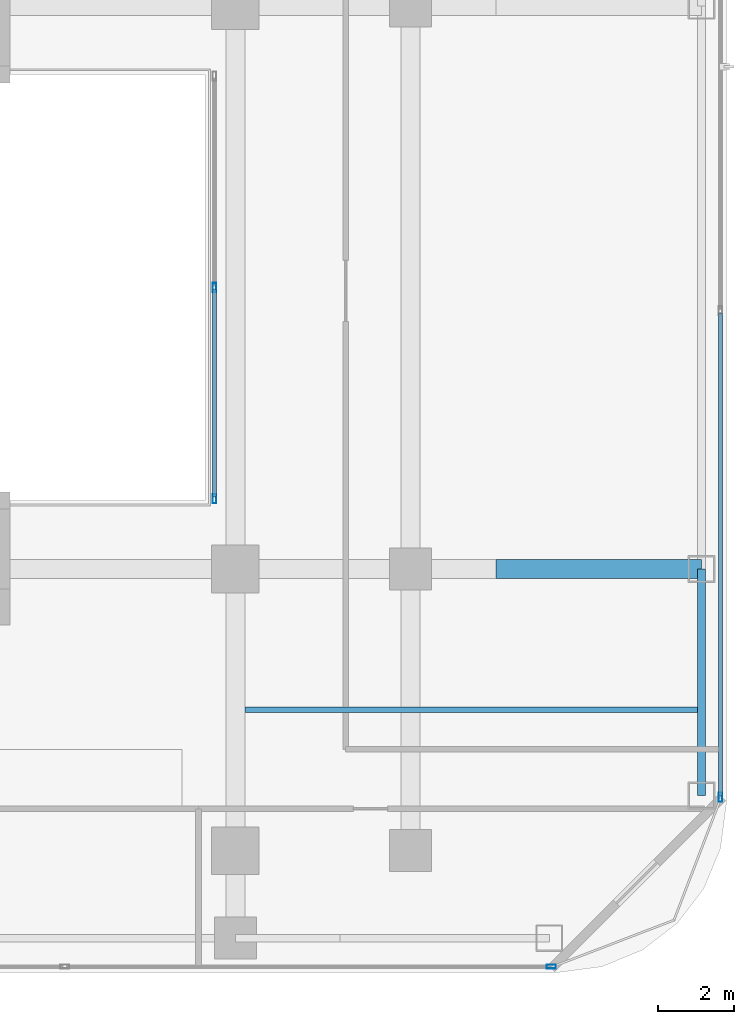
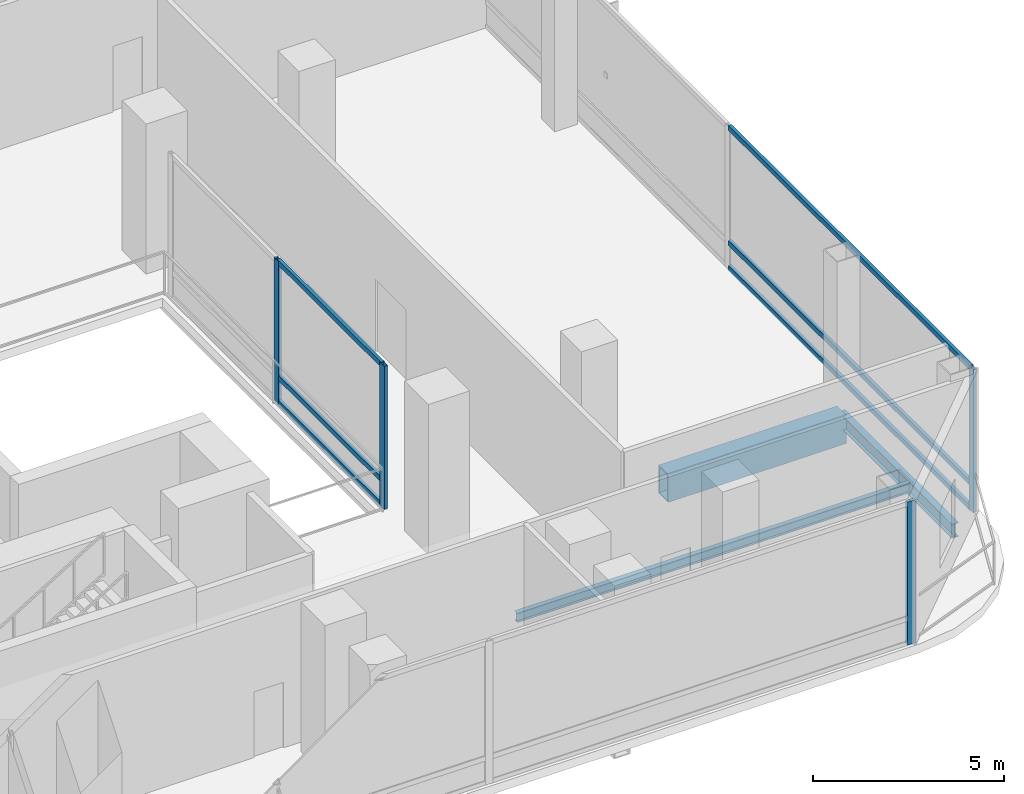
# One storey, part 9 of 28: 10 members, 3 beams, 3 elements without a shape of their own.
"""IFC4 building model written with IfcOpenShell, lengths in metres."""

from ifc_helpers import new_model, si_unit, direction, frame, origin, origin_2d, place, context, subcontext, project, spatial, hollow_rectangle, i_section, extrude, material, layer, layer_set, material_profile, profile_set, type_object, element, aggregate, save


model = new_model("IFC4")

# Units and contexts
model_context = context("Model", 3, precision=1e-05, world=origin(), true_north=direction((0.0, 1.0)))
body_context = subcontext(model_context, "Body", "Model", "MODEL_VIEW")
ifc_project = project(units=[si_unit("LENGTHUNIT", "METRE"), si_unit("AREAUNIT", "SQUARE_METRE"), si_unit("VOLUMEUNIT", "CUBIC_METRE"), si_unit("PLANEANGLEUNIT", "RADIAN"), si_unit("MASSUNIT", "GRAM", prefix="KILO")], contexts=[model_context])

# Site, building, storey
site_placement = place(None, origin())
site = spatial("IfcSite", under=ifc_project, at=site_placement, CompositionType="ELEMENT")
building_placement = place(site_placement, origin())
building = spatial("IfcBuilding", under=site, at=building_placement, Name="Khorvyn Point Tower", CompositionType="ELEMENT")
storey_placement = place(building_placement, frame((0.0, 0.0, 108.60009765625)))
storey = spatial("IfcBuildingStorey", under=building, at=storey_placement, Name="L27", CompositionType="ELEMENT", Elevation=108.60009765625)

# Curtain wall, member
ifc_material_1 = material(Name="Anodised aluminium 6063-T6 and laminated Low-E glass", Category="aluminium")
ifc_layer_1 = layer(ifc_material_1, 0.18994140625)
ifc_layer_set_1 = layer_set([ifc_layer_1], Name="Stick-Built Sky-Lobby Curtain Wall CW-SYS-05")
curtain_wall_type_1 = type_object("IfcCurtainWallType", Name="Stick-Built Sky-Lobby Curtain Wall CW-SYS-05", PredefinedType="NOTDEFINED", material=ifc_layer_set_1)
curtain_wall_1_placement = place(storey_placement, origin())
curtain_wall_1 = element("IfcCurtainWall", 1, at=curtain_wall_1_placement, inside=storey, type_object=curtain_wall_type_1, Name="Curtain Wall", PredefinedType="NOTDEFINED")
ifc_material_2 = material(Name="Anodised aluminium 6063-T6", Category="aluminium")
ifc_material_profile_1 = material_profile(ifc_material_2, hollow_rectangle(XDim=0.10009765625, YDim=0.239990234375, WallThickness=0.0048828125, at=origin_2d()))
ifc_profile_set_1 = profile_set([ifc_material_profile_1], Name="Anodised aluminium 6063-T6 ALU-MUL-100x240")
member_type_1 = type_object("IfcMemberType", Name="Anodised Aluminium 6063-T6 Mullion ALU-MUL-100x240", PredefinedType="MULLION", material=ifc_profile_set_1)
member_1_placement = place(storey_placement, frame((23.10009765625, -17.85009765625, 0.0), z_axis=(0.0, 0.0, 1.0), x_axis=(0.0, -1.0, 0.0)))
member_1 = element("IfcMember", 2, at=member_1_placement, type_object=member_type_1, Name="Transom", PredefinedType="MULLION", context=body_context, shape_type="SweptSolid", body=[
    extrude(hollow_rectangle(XDim=0.10009765625, YDim=0.239990234375, WallThickness=0.0048828125, at=origin_2d()), origin(), (0.0, 0.0, 1.0), 4.579833984375),
])
aggregate(curtain_wall_1, [member_1])

curtain_wall_2_placement = place(storey_placement, origin())
curtain_wall_2 = element("IfcCurtainWall", 3, at=curtain_wall_2_placement, inside=storey, type_object=curtain_wall_type_1, Name="Curtain Wall", PredefinedType="NOTDEFINED")
member_2_placement = place(storey_placement, frame((27.550048828125, -13.39990234375, 0.0), z_axis=(0.0, 0.0, 1.0), x_axis=(1.0, 0.0, 0.0)))
member_2 = element("IfcMember", 4, at=member_2_placement, type_object=member_type_1, Name="Transom", PredefinedType="MULLION", context=body_context, shape_type="SweptSolid", body=[
    extrude(hollow_rectangle(XDim=0.10009765625, YDim=0.239990234375, WallThickness=0.0048828125, at=origin_2d()), origin(), (0.0, 0.0, 1.0), 4.579833984375),
])

# Curtain wall, members
ifc_layer_2 = layer(ifc_material_1, 0.18994140625)
ifc_layer_set_2 = layer_set([ifc_layer_2], Name="Stick-Built Crystal Atrium Curtain Wall CW-SYS-06")
curtain_wall_type_2 = type_object("IfcCurtainWallType", Name="Stick-Built Crystal Atrium Curtain Wall CW-SYS-06", PredefinedType="NOTDEFINED", material=ifc_layer_set_2)
curtain_wall_3_placement = place(storey_placement, origin())
curtain_wall_3 = element("IfcCurtainWall", 5, at=curtain_wall_3_placement, inside=storey, type_object=curtain_wall_type_2, Name="Curtain Wall", PredefinedType="NOTDEFINED")
member_3_placement = place(storey_placement, frame((14.25, -5.550048828125, 0.0), z_axis=(0.0, 0.0, 1.0), x_axis=(-1.0, 0.0, 0.0)))
member_3 = element("IfcMember", 6, at=member_3_placement, type_object=member_type_1, Name="Transom", PredefinedType="MULLION", context=body_context, shape_type="SweptSolid", body=[
    extrude(hollow_rectangle(XDim=0.10009765625, YDim=0.239990234375, WallThickness=0.0048828125, at=origin_2d()), origin(), (0.0, 0.0, 1.0), 4.579833984375),
])
member_4_placement = place(storey_placement, frame((14.25, 0.0, 0.0), z_axis=(0.0, 0.0, 1.0), x_axis=(-1.0, 0.0, 0.0)))
member_4 = element("IfcMember", 7, at=member_4_placement, type_object=member_type_1, Name="Transom", PredefinedType="MULLION", context=body_context, shape_type="SweptSolid", body=[
    extrude(hollow_rectangle(XDim=0.10009765625, YDim=0.239990234375, WallThickness=0.0048828125, at=origin_2d()), origin(), (0.0, 0.0, 1.0), 4.579833984375),
])

# Member
ifc_material_profile_2 = material_profile(ifc_material_2, hollow_rectangle(XDim=0.10009765625, YDim=0.159912109375, WallThickness=0.00439453125, at=origin_2d()))
ifc_profile_set_2 = profile_set([ifc_material_profile_2], Name="Anodised aluminium 6063-T6 ALU-TRN-100x160")
member_type_2 = type_object("IfcMemberType", Name="Anodised Aluminium 6063-T6 Transom ALU-TRN-100x160", PredefinedType="USERDEFINED", material=ifc_profile_set_2)
member_5_placement = place(storey_placement, frame((27.550048828125, -0.666748046875, 0.0498046875), z_axis=(0.0, -1.0, 0.0), x_axis=(1.0, 0.0, 0.0)))
member_5 = element("IfcMember", 8, at=member_5_placement, type_object=member_type_2, Name="Transom", ObjectType="TRANSOM", PredefinedType="USERDEFINED", context=body_context, shape_type="SweptSolid", body=[
    extrude(hollow_rectangle(XDim=0.10009765625, YDim=0.159912109375, WallThickness=0.00439453125, at=origin_2d()), origin(), (0.0, 0.0, 1.0), 12.683349609375),
])

member_6_placement = place(storey_placement, frame((27.550048828125, -0.666748046875, 0.849853515625), z_axis=(0.0, -1.0, 0.0), x_axis=(1.0, 0.0, 0.0)))
member_6 = element("IfcMember", 9, at=member_6_placement, type_object=member_type_2, Name="Transom", ObjectType="TRANSOM", PredefinedType="USERDEFINED", context=body_context, shape_type="SweptSolid", body=[
    extrude(hollow_rectangle(XDim=0.10009765625, YDim=0.159912109375, WallThickness=0.00439453125, at=origin_2d()), origin(), (0.0, 0.0, 1.0), 12.683349609375),
])

member_7_placement = place(storey_placement, frame((27.550048828125, -0.666748046875, 4.52978515625), z_axis=(0.0, -1.0, 0.0), x_axis=(1.0, 0.0, 0.0)))
member_7 = element("IfcMember", 10, at=member_7_placement, type_object=member_type_2, Name="Transom", ObjectType="TRANSOM", PredefinedType="USERDEFINED", context=body_context, shape_type="SweptSolid", body=[
    extrude(hollow_rectangle(XDim=0.10009765625, YDim=0.159912109375, WallThickness=0.00439453125, at=origin_2d()), origin(), (0.0, 0.0, 1.0), 12.683349609375),
])

aggregate(curtain_wall_2, [member_2, member_5, member_6, member_7])

member_8_placement = place(storey_placement, frame((14.25, -5.5, 0.0498046875), z_axis=(0.0, 1.0, 0.0), x_axis=(-1.0, 0.0, 0.0)))
member_8 = element("IfcMember", 11, at=member_8_placement, type_object=member_type_2, Name="Transom", ObjectType="TRANSOM", PredefinedType="USERDEFINED", context=body_context, shape_type="SweptSolid", body=[
    extrude(hollow_rectangle(XDim=0.10009765625, YDim=0.159912109375, WallThickness=0.00439453125, at=origin_2d()), origin(), (0.0, 0.0, 1.0), 5.449951171875),
])

member_9_placement = place(storey_placement, frame((14.25, -5.5, 0.849853515625), z_axis=(0.0, 1.0, 0.0), x_axis=(-1.0, 0.0, 0.0)))
member_9 = element("IfcMember", 12, at=member_9_placement, type_object=member_type_2, Name="Transom", ObjectType="TRANSOM", PredefinedType="USERDEFINED", context=body_context, shape_type="SweptSolid", body=[
    extrude(hollow_rectangle(XDim=0.10009765625, YDim=0.159912109375, WallThickness=0.00439453125, at=origin_2d()), origin(), (0.0, 0.0, 1.0), 5.449951171875),
])

member_10_placement = place(storey_placement, frame((14.25, -5.5, 4.52978515625), z_axis=(0.0, 1.0, 0.0), x_axis=(-1.0, 0.0, 0.0)))
member_10 = element("IfcMember", 13, at=member_10_placement, type_object=member_type_2, Name="Transom", ObjectType="TRANSOM", PredefinedType="USERDEFINED", context=body_context, shape_type="SweptSolid", body=[
    extrude(hollow_rectangle(XDim=0.10009765625, YDim=0.159912109375, WallThickness=0.00439453125, at=origin_2d()), origin(), (0.0, 0.0, 1.0), 5.449951171875),
])

aggregate(curtain_wall_3, [member_3, member_4, member_8, member_9, member_10])

# Beams
ifc_material_3 = material(Name="Steel S355", Category="steel")
ifc_material_profile_3 = material_profile(ifc_material_3, i_section(OverallWidth=0.14990234375, OverallDepth=0.300048828125, WebThickness=0.006591796875, FlangeThickness=0.009033203125, at=origin_2d()))
ifc_profile_set_3 = profile_set([ifc_material_profile_3], Name="Steel S355 H300x150x6.5x9")
beam_type_1 = type_object("IfcBeamType", Name="Steel S355 Joist H300x150x6.5x9", PredefinedType="JOIST", material=ifc_profile_set_3)
beam_1_placement = place(storey_placement, frame((15.050048828125, -11.10009765625, -0.43017578125), z_axis=(1.0, 0.0, 0.0), x_axis=(0.0, 1.0, 0.0)))
element("IfcBeam", 14, at=beam_1_placement, inside=storey, type_object=beam_type_1, Name="Beam", PredefinedType="JOIST", context=body_context, shape_type="SweptSolid", body=[
    extrude(i_section(OverallWidth=0.14990234375, OverallDepth=0.300048828125, WebThickness=0.006591796875, FlangeThickness=0.009033203125, at=origin_2d()), origin(), (0.0, 0.0, 1.0), 11.89990234375),
])
ifc_material_profile_4 = material_profile(ifc_material_3, i_section(OverallWidth=0.199951171875, OverallDepth=0.449951171875, WebThickness=0.009033203125, FlangeThickness=0.013916015625, at=origin_2d()))
ifc_profile_set_4 = profile_set([ifc_material_profile_4], Name="Steel S355 H450x200x9x14")
beam_type_2 = type_object("IfcBeamType", Name="Steel S355 Spandrel H450x200x9x14", PredefinedType="SPANDREL", material=ifc_profile_set_4)
beam_2_placement = place(storey_placement, frame((27.050048828125, -13.35009765625, -0.505126953125), z_axis=(0.0, 1.0, 0.0), x_axis=(-1.0, 0.0, 0.0)))
element("IfcBeam", 15, at=beam_2_placement, inside=storey, type_object=beam_type_2, Name="Beam", PredefinedType="SPANDREL", context=body_context, shape_type="SweptSolid", body=[
    extrude(i_section(OverallWidth=0.199951171875, OverallDepth=0.449951171875, WebThickness=0.009033203125, FlangeThickness=0.013916015625, at=origin_2d()), origin(), (0.0, 0.0, 1.0), 5.9501953125),
])
ifc_material_4 = material(Name="Steel S450", Category="steel")
ifc_material_profile_5 = material_profile(ifc_material_4, hollow_rectangle(XDim=0.5, YDim=0.89990234375, WallThickness=0.0400390625, at=origin_2d()))
ifc_profile_set_5 = profile_set([ifc_material_profile_5], Name="Steel S450 BOX900x500x40")
beam_type_3 = type_object("IfcBeamType", Name="Steel S450 Beam BOX900x500x40", PredefinedType="BEAM", material=ifc_profile_set_5)
beam_3_placement = place(storey_placement, frame((21.64990234375, -7.39990234375, -0.72998046875), z_axis=(1.0, 0.0, 0.0), x_axis=(0.0, 1.0, 0.0)))
element("IfcBeam", 16, at=beam_3_placement, inside=storey, type_object=beam_type_3, Name="Beam", PredefinedType="BEAM", context=body_context, shape_type="SweptSolid", body=[
    extrude(hollow_rectangle(XDim=0.5, YDim=0.89990234375, WallThickness=0.0400390625, at=origin_2d()), origin(), (0.0, 0.0, 1.0), 5.400146484375),
])

save(model, "model.ifc")
